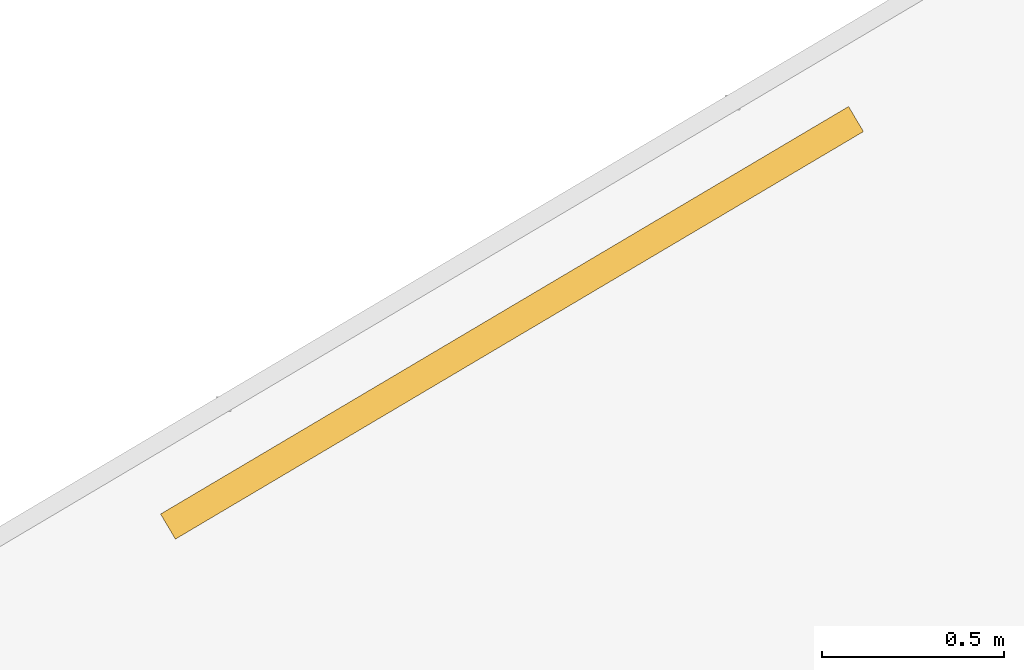
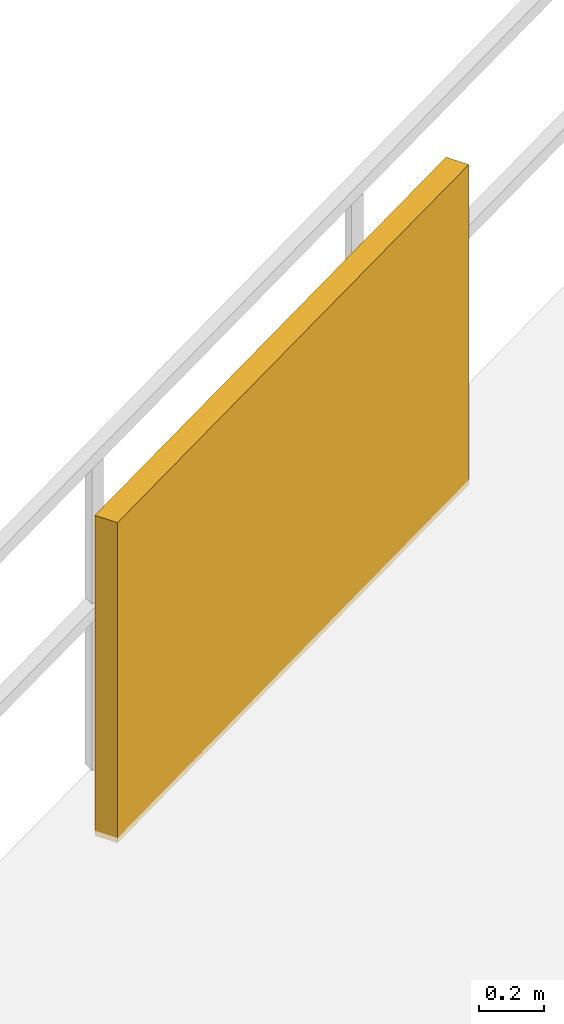
# One storey, part 28 of 29: 1 shading device.
"""IFC4 building model written with IfcOpenShell, lengths in metres."""

from ifc_helpers import new_model, si_unit, direction, frame, origin, origin_2d, place, context, subcontext, project, spatial, rectangle, extrude, material, type_object, element, save


model = new_model("IFC4")

# Units and contexts
model_context = context("Model", 3, precision=1e-05, world=origin(), true_north=direction((0.0, 1.0)))
body_context = subcontext(model_context, "Body", "Model", "MODEL_VIEW")
ifc_project = project(units=[si_unit("LENGTHUNIT", "METRE"), si_unit("AREAUNIT", "SQUARE_METRE"), si_unit("VOLUMEUNIT", "CUBIC_METRE"), si_unit("PLANEANGLEUNIT", "RADIAN"), si_unit("MASSUNIT", "GRAM", prefix="KILO")], contexts=[model_context])

# Site, building, storey
site_placement = place(None, origin())
site = spatial("IfcSite", under=ifc_project, at=site_placement, CompositionType="ELEMENT")
building_placement = place(site_placement, origin())
building = spatial("IfcBuilding", under=site, at=building_placement, Name="Vorneva Point Tower", CompositionType="ELEMENT")
storey_placement = place(building_placement, frame((0.0, 0.0, 171.10009765625)))
storey = spatial("IfcBuildingStorey", under=building, at=storey_placement, Name="L46", CompositionType="ELEMENT", Elevation=171.10009765625)

# Shading device
ifc_material = material(Name="Pale anodised aluminium", Category="aluminium")
shading_device_type = type_object("IfcShadingDeviceType", Name="SHD-JAL-1200", PredefinedType="JALOUSIE", material=ifc_material)
shading_device_placement = place(storey_placement, frame((21.075439453125, 42.3662109375, -0.02001953125), z_axis=(0.0, 0.0, 1.0), x_axis=(-0.860386439326, -0.509642202947, 0.0)))
element("IfcShadingDevice", 1, at=shading_device_placement, inside=storey, type_object=shading_device_type, Name="L46 Balcony Vertical-Greenery Planter Screen NW.2", PredefinedType="JALOUSIE", context=body_context, shape_type="SweptSolid", body=[
    extrude(rectangle(XDim=2.199951171875, YDim=0.080078125, at=origin_2d()), origin(), (0.0, 0.0, 1.0), 1.199951171875),
])

save(model, "model.ifc")
